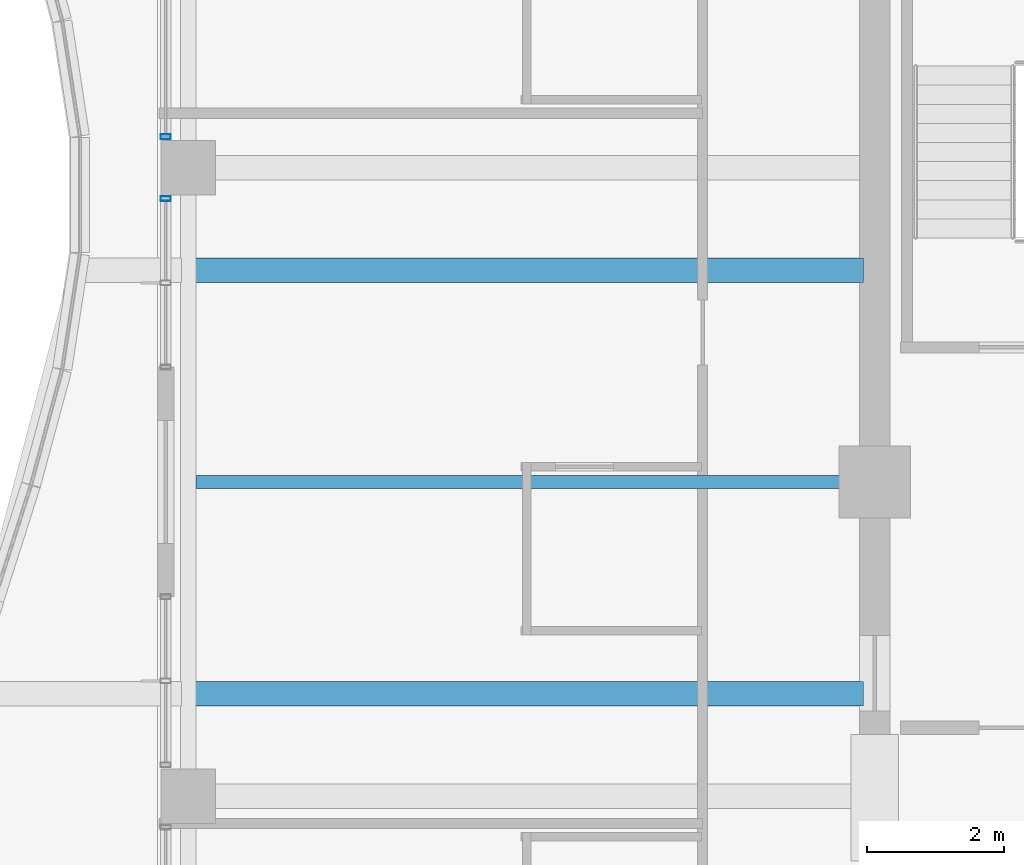
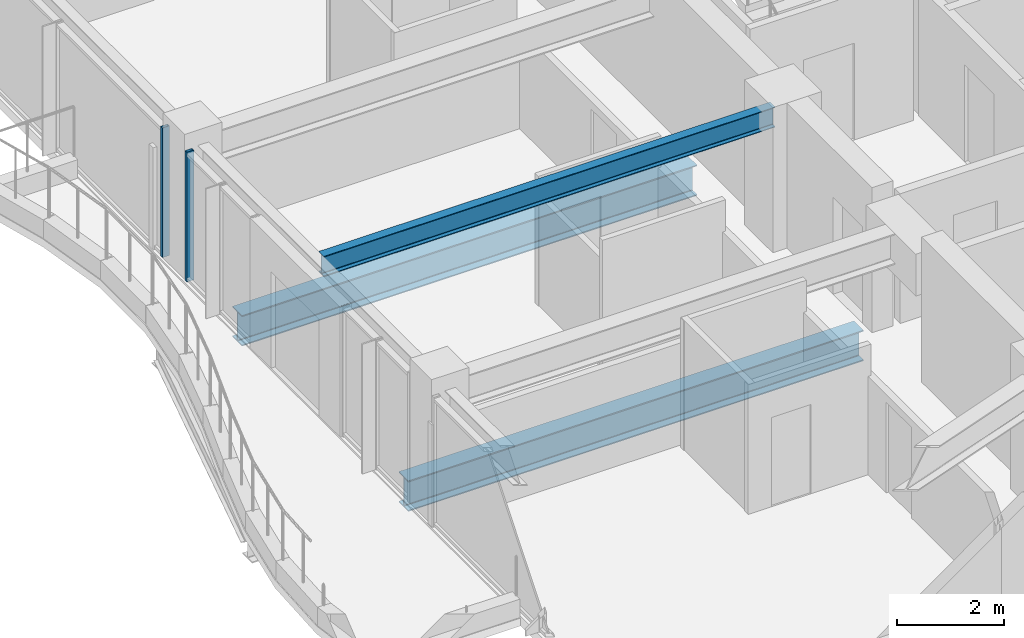
# One storey, part 7 of 34: 3 beams, 2 members, 2 elements without a shape of their own.
"""IFC4 building model written with IfcOpenShell, lengths in metres."""

from ifc_helpers import new_model, si_unit, direction, frame, origin, origin_2d, place, context, subcontext, project, spatial, hollow_rectangle, i_section, extrude, material, material_profile, profile_set, type_object, element, aggregate, save


model = new_model("IFC4")

# Units and contexts
model_context = context("Model", 3, precision=1e-05, world=origin(), true_north=direction((0.0, 1.0)))
body_context = subcontext(model_context, "Body", "Model", "MODEL_VIEW")
ifc_project = project(units=[si_unit("LENGTHUNIT", "METRE"), si_unit("AREAUNIT", "SQUARE_METRE"), si_unit("VOLUMEUNIT", "CUBIC_METRE"), si_unit("PLANEANGLEUNIT", "RADIAN"), si_unit("MASSUNIT", "GRAM", prefix="KILO")], contexts=[model_context])

# Site, building, storey
site_placement = place(None, origin())
site = spatial("IfcSite", under=ifc_project, at=site_placement, CompositionType="ELEMENT")
building_placement = place(site_placement, origin())
building = spatial("IfcBuilding", under=site, at=building_placement, Name="Kolvaren Belvedere", CompositionType="ELEMENT")
storey_placement = place(building_placement, frame((0.0, 0.0, 229.5)))
storey = spatial("IfcBuildingStorey", under=building, at=storey_placement, Name="L67", CompositionType="ELEMENT", Elevation=229.5)

# Beams
ifc_material_1 = material(Name="Structural steel ASTM A992 Grade 50", Category="steel")
ifc_material_profile_1 = material_profile(ifc_material_1, i_section(OverallWidth=0.35498046875, OverallDepth=0.696044921875, WebThickness=0.015380859375, FlangeThickness=0.02490234375, FilletRadius=0.02197265625, at=origin_2d()), Name="W27X146")
ifc_profile_set_1 = profile_set([ifc_material_profile_1], Name="Structural steel ASTM A992 Grade 50")
beam_type_1 = type_object("IfcBeamType", Name="BM-GIRD-W27X146", PredefinedType="BEAM", material=ifc_profile_set_1)
for number, where, z_axis, x_axis, name in (
    (1, (-10.06494140625, -3.10009765625, -0.568115234375), (-1.0, 0.0, 0.0), (0.0, -1.0, 0.0), "L67 Balcony Interior Back-Span Girder BAL-W-1"),
    (2, (-10.06494140625, 3.10009765625, -0.568115234375), (-1.0, 0.0, 0.0), (0.0, -1.0, 0.0), "L67 Balcony Interior Back-Span Girder BAL-W-2"),
):
    element("IfcBeam", number, at=place(storey_placement, frame(where, z_axis=z_axis, x_axis=x_axis)), inside=storey, type_object=beam_type_1, Name=name, PredefinedType="BEAM", context=body_context, shape_type="SweptSolid", body=[
        extrude(i_section(OverallWidth=0.35498046875, OverallDepth=0.696044921875, WebThickness=0.015380859375, FlangeThickness=0.02490234375, FilletRadius=0.02197265625, at=origin_2d()), origin(), (0.0, 0.0, 1.0), 9.7900390625),
    ])
ifc_material_2 = material(Name="Structural steel ASTM A992 Grade 50", Category="steel")
ifc_material_profile_2 = material_profile(ifc_material_2, i_section(OverallWidth=0.19091796875, OverallDepth=0.4599609375, WebThickness=0.010009765625, FlangeThickness=0.01611328125, FilletRadius=0.014892578125, at=origin_2d()), Name="W18X55")
ifc_profile_set_2 = profile_set([ifc_material_profile_2], Name="Structural steel ASTM A992 Grade 50")
beam_type_2 = type_object("IfcBeamType", Name="BM-JOIST-W18X55", PredefinedType="BEAM", material=ifc_profile_set_2)
beam_placement = place(storey_placement, frame((-10.125, 0.0, 2.719970703125), z_axis=(-1.0, 0.0, 0.0), x_axis=(0.0, -1.0, 0.0)))
element("IfcBeam", 3, at=beam_placement, inside=storey, type_object=beam_type_2, Name="L67 West Centre Floor Beam", PredefinedType="BEAM", context=body_context, shape_type="SweptSolid", body=[
    extrude(i_section(OverallWidth=0.19091796875, OverallDepth=0.4599609375, WebThickness=0.010009765625, FlangeThickness=0.01611328125, FilletRadius=0.014892578125, at=origin_2d()), origin(), (0.0, 0.0, 1.0), 9.71044921875),
])

# Curtain wall, member
ifc_material_3 = material(Name="Anodised pale-metal aluminium AA 6063-T6", Category="aluminium")
curtain_wall_type = type_object("IfcCurtainWallType", Name="CW-Z5-HIGH", PredefinedType="NOTDEFINED", material=ifc_material_3)
curtain_wall_1_placement = place(storey_placement, origin())
curtain_wall_1 = element("IfcCurtainWall", 4, at=curtain_wall_1_placement, inside=storey, type_object=curtain_wall_type, Name="L67 Unitised Curtain Wall FCW-L67-W2-B1", PredefinedType="NOTDEFINED")
ifc_material_4 = material(Name="Anodised pale-metal aluminium AA 6063-T6", Category="aluminium")
ifc_material_profile_3 = material_profile(ifc_material_4, hollow_rectangle(XDim=0.070068359375, YDim=0.14990234375, WallThickness=0.004150390625, at=origin_2d()), Name="ALU-MUL-150X70")
ifc_profile_set_3 = profile_set([ifc_material_profile_3], Name="Anodised pale-metal aluminium AA 6063-T6")
member_type = type_object("IfcMemberType", Name="CW-MUL-150", PredefinedType="MULLION", material=ifc_profile_set_3)
member_1_placement = place(storey_placement, frame((-20.280029296875, 4.14501953125, 0.0), z_axis=(0.0, 0.0, 1.0), x_axis=(0.0, 1.0, 0.0)))
member_1 = element("IfcMember", 5, at=member_1_placement, type_object=member_type, Name="FCW-L67-W2-B1 Unitised Mullion 3", PredefinedType="MULLION", context=body_context, shape_type="SweptSolid", body=[
    extrude(hollow_rectangle(XDim=0.070068359375, YDim=0.14990234375, WallThickness=0.004150390625, at=origin_2d()), origin(), (0.0, 0.0, 1.0), 2.949951171875),
])
aggregate(curtain_wall_1, [member_1])

curtain_wall_2_placement = place(storey_placement, origin())
curtain_wall_2 = element("IfcCurtainWall", 6, at=curtain_wall_2_placement, inside=storey, type_object=curtain_wall_type, Name="L67 Unitised Curtain Wall FCW-L67-W2-B2", PredefinedType="NOTDEFINED")
member_2_placement = place(storey_placement, frame((-20.280029296875, 5.054931640625, 0.0), z_axis=(0.0, 0.0, 1.0), x_axis=(0.0, 1.0, 0.0)))
member_2 = element("IfcMember", 7, at=member_2_placement, type_object=member_type, Name="FCW-L67-W2-B2 Unitised Mullion 1", PredefinedType="MULLION", context=body_context, shape_type="SweptSolid", body=[
    extrude(hollow_rectangle(XDim=0.070068359375, YDim=0.14990234375, WallThickness=0.004150390625, at=origin_2d()), origin(), (0.0, 0.0, 1.0), 2.949951171875),
])
aggregate(curtain_wall_2, [member_2])

save(model, "model.ifc")
